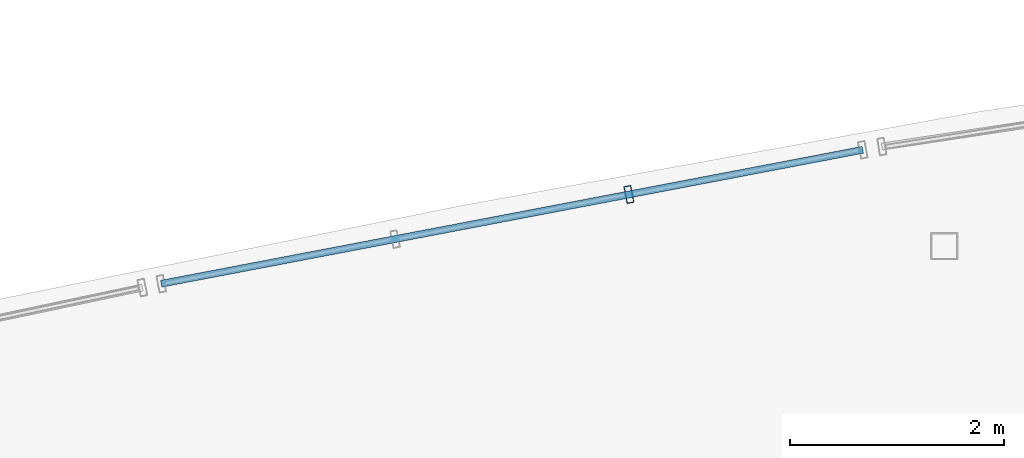
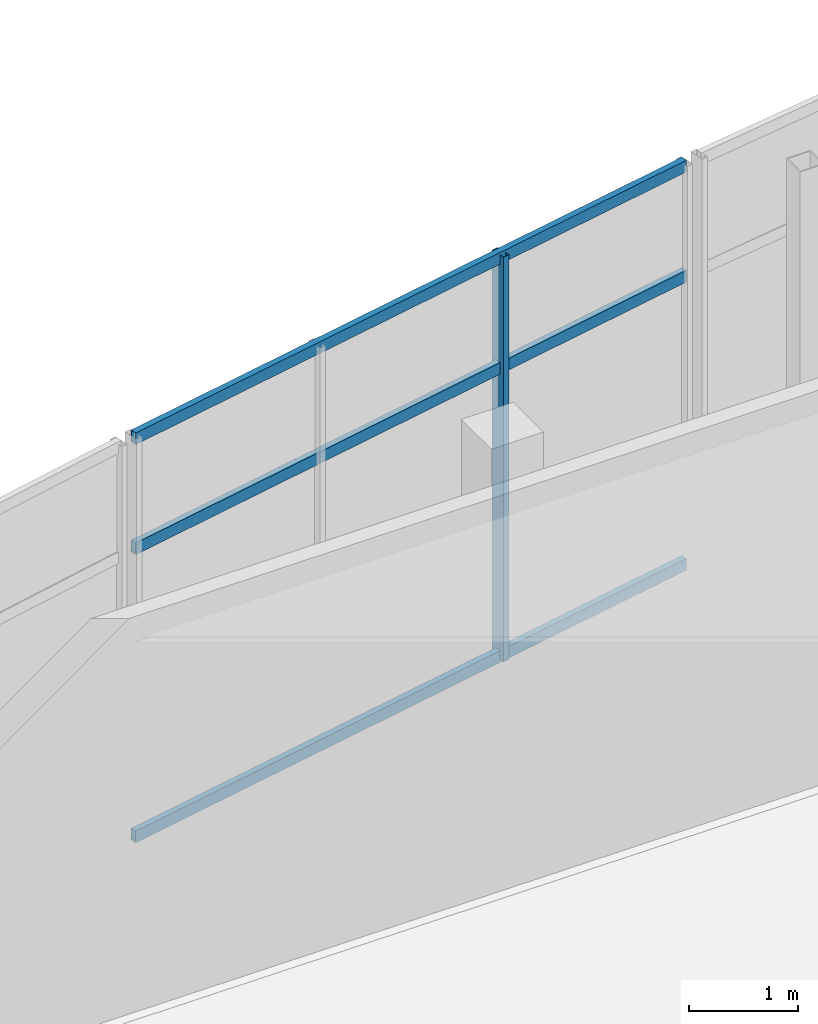
# One storey, part 78 of 157: 4 members, 1 element without a shape of its own.
"""IFC4 building model written with IfcOpenShell, lengths in metres."""

from ifc_helpers import new_model, si_unit, direction, frame, origin, origin_2d, place, context, subcontext, project, spatial, hollow_rectangle, extrude, material, layer, layer_set, material_profile, profile_set, type_object, element, aggregate, save


model = new_model("IFC4")

# Units and contexts
model_context = context("Model", 3, precision=1e-05, world=origin(), true_north=direction((0.0, 1.0)))
body_context = subcontext(model_context, "Body", "Model", "MODEL_VIEW")
ifc_project = project(units=[si_unit("LENGTHUNIT", "METRE"), si_unit("AREAUNIT", "SQUARE_METRE"), si_unit("VOLUMEUNIT", "CUBIC_METRE"), si_unit("PLANEANGLEUNIT", "RADIAN"), si_unit("MASSUNIT", "GRAM", prefix="KILO")], contexts=[model_context])

# Site, building, storey
site_placement = place(None, origin())
site = spatial("IfcSite", under=ifc_project, at=site_placement, CompositionType="ELEMENT")
building_placement = place(site_placement, origin())
building = spatial("IfcBuilding", under=site, at=building_placement, Name="Chalmorin Arch Market", CompositionType="ELEMENT")
storey_placement = place(building_placement, frame((0.0, 0.0, 4.800048828125)))
storey = spatial("IfcBuildingStorey", under=building, at=storey_placement, Name="L01", CompositionType="ELEMENT", Elevation=4.800048828125)

# Curtain wall, members
ifc_material = material(Name="Aluminium 6063-T6", Category="aluminium")
ifc_layer = layer(ifc_material, 0.159912109375)
ifc_layer_set = layer_set([ifc_layer], Name="Aluminium 6063-T6")
curtain_wall_type = type_object("IfcCurtainWallType", Name="CulinaryStudioCurtainWall-CW3-6660x4520", PredefinedType="NOTDEFINED", material=ifc_layer_set)
curtain_wall_placement = place(storey_placement, origin())
curtain_wall = element("IfcCurtainWall", 1, at=curtain_wall_placement, inside=storey, type_object=curtain_wall_type, Name="CW-03-124", PredefinedType="NOTDEFINED")
ifc_material_profile_1 = material_profile(ifc_material, hollow_rectangle(XDim=0.06494140625, YDim=0.159912109375, WallThickness=0.00390625, at=origin_2d()), Name="ALU65X160X4")
ifc_profile_set_1 = profile_set([ifc_material_profile_1], Name="Aluminium 6063-T6")
member_type_1 = type_object("IfcMemberType", Name="CurtainWallMullion-65x160", PredefinedType="MULLION", material=ifc_profile_set_1)
member_1_placement = place(storey_placement, frame((59.17041015625, 120.750732421875, 0.0), z_axis=(0.0, 0.0, 1.0), x_axis=(0.981627183448, 0.190808995377, 0.0)))
member_1 = element("IfcMember", 2, at=member_1_placement, type_object=member_type_1, Name="ML-124-03", PredefinedType="MULLION", context=body_context, shape_type="SweptSolid", body=[
    extrude(hollow_rectangle(XDim=0.06494140625, YDim=0.159912109375, WallThickness=0.00390625, at=origin_2d()), origin(), (0.0, 0.0, 1.0), 4.52001953125),
])
ifc_material_profile_2 = material_profile(ifc_material, hollow_rectangle(XDim=0.06494140625, YDim=0.1298828125, WallThickness=0.00390625, at=origin_2d()), Name="ALU65X130X4")
ifc_profile_set_2 = profile_set([ifc_material_profile_2], Name="Aluminium 6063-T6")
member_type_2 = type_object("IfcMemberType", Name="CurtainWallTransom-65x130", PredefinedType="USERDEFINED", material=ifc_profile_set_2)
member_2_placement = place(storey_placement, frame((54.808349609375, 119.91796875, 0.034912109375), z_axis=(0.982264065399, 0.187502815514, 0.0), x_axis=(-0.187502815514, 0.982264065399, 0.0)))
member_2 = element("IfcMember", 3, at=member_2_placement, type_object=member_type_2, Name="TR-124-01", ObjectType="TRANSOM", PredefinedType="USERDEFINED", context=body_context, shape_type="SweptSolid", body=[
    extrude(hollow_rectangle(XDim=0.06494140625, YDim=0.1298828125, WallThickness=0.00390625, at=origin_2d()), origin(), (0.0, 0.0, 1.0), 6.661376953125),
])
member_3_placement = place(storey_placement, frame((54.808349609375, 119.91796875, 3.25439453125), z_axis=(0.982264065399, 0.187502815514, 0.0), x_axis=(-0.187502815514, 0.982264065399, 0.0)))
member_3 = element("IfcMember", 4, at=member_3_placement, type_object=member_type_2, Name="TR-124-02", ObjectType="TRANSOM", PredefinedType="USERDEFINED", context=body_context, shape_type="SweptSolid", body=[
    extrude(hollow_rectangle(XDim=0.06494140625, YDim=0.1298828125, WallThickness=0.00390625, at=origin_2d()), origin(), (0.0, 0.0, 1.0), 6.661376953125),
])
member_4_placement = place(storey_placement, frame((54.808349609375, 119.91796875, 4.48486328125), z_axis=(0.982264065399, 0.187502815514, 0.0), x_axis=(-0.187502815514, 0.982264065399, 0.0)))
member_4 = element("IfcMember", 5, at=member_4_placement, type_object=member_type_2, Name="TR-124-03", ObjectType="TRANSOM", PredefinedType="USERDEFINED", context=body_context, shape_type="SweptSolid", body=[
    extrude(hollow_rectangle(XDim=0.06494140625, YDim=0.1298828125, WallThickness=0.00390625, at=origin_2d()), origin(), (0.0, 0.0, 1.0), 6.661376953125),
])
aggregate(curtain_wall, [member_1, member_2, member_3, member_4])

save(model, "model.ifc")
